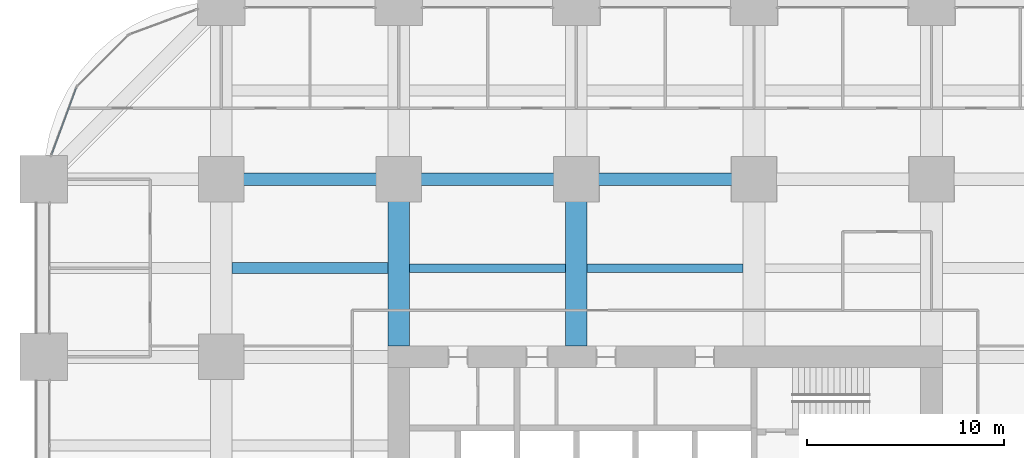
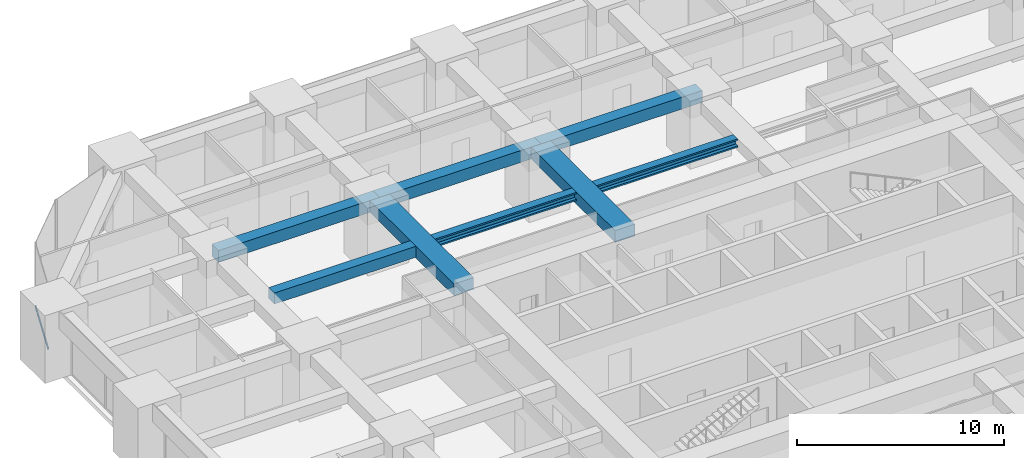
# One storey, part 26 of 44: 8 beams, 1 member, 1 element without a shape of its own.
"""IFC4 building model written with IfcOpenShell, lengths in metres."""

from ifc_helpers import new_model, si_unit, direction, frame, origin, origin_2d, place, context, subcontext, project, spatial, rectangle, hollow_rectangle, i_section, extrude, material, material_profile, profile_set, type_object, element, aggregate, save


model = new_model("IFC4")

# Units and contexts
model_context = context("Model", 3, precision=1e-05, world=origin(), true_north=direction((0.0, 1.0)))
body_context = subcontext(model_context, "Body", "Model", "MODEL_VIEW")
ifc_project = project(units=[si_unit("LENGTHUNIT", "METRE"), si_unit("AREAUNIT", "SQUARE_METRE"), si_unit("VOLUMEUNIT", "CUBIC_METRE"), si_unit("PLANEANGLEUNIT", "RADIAN"), si_unit("MASSUNIT", "GRAM", prefix="KILO")], contexts=[model_context])

# Site, building, storey
site_placement = place(None, origin())
site = spatial("IfcSite", under=ifc_project, at=site_placement, CompositionType="ELEMENT")
building_placement = place(site_placement, origin())
building = spatial("IfcBuilding", under=site, at=building_placement, Name="Zorevar Civic Tower", CompositionType="ELEMENT")
storey_placement = place(building_placement, frame((0.0, 0.0, 35.800048828125)))
storey = spatial("IfcBuildingStorey", under=building, at=storey_placement, Name="L08", CompositionType="ELEMENT", Elevation=35.800048828125)

# Beams
ifc_material_1 = material(Name="Concrete C50/60", Category="concrete")
ifc_material_profile_1 = material_profile(ifc_material_1, rectangle(XDim=1.10009765625, YDim=0.699951171875, at=origin_2d()), Name="RC 1100x700")
ifc_profile_set_1 = profile_set([ifc_material_profile_1], Name="Concrete C50/60")
beam_type_1 = type_object("IfcBeamType", Name="Beam RC 1100x700", PredefinedType="BEAM", material=ifc_profile_set_1)
for number, where, z_axis, x_axis, name in (
    (1, (18.0, 36.550048828125, 3.39990234375), (0.0, 1.0, 0.0), (-1.0, 0.0, 0.0), "Girder L09"),
    (2, (27.0, 36.550048828125, 3.39990234375), (0.0, 1.0, 0.0), (-1.0, 0.0, 0.0), "Girder L09"),
):
    element("IfcBeam", number, at=place(storey_placement, frame(where, z_axis=z_axis, x_axis=x_axis)), inside=storey, type_object=beam_type_1, Name=name, PredefinedType="BEAM", context=body_context, shape_type="SweptSolid", body=[
        extrude(rectangle(XDim=1.10009765625, YDim=0.699951171875, at=origin_2d()), origin(), (0.0, 0.0, 1.0), 8.449951171875),
    ])
ifc_material_2 = material(Name="Concrete C50/60", Category="concrete")
ifc_material_profile_2 = material_profile(ifc_material_2, rectangle(XDim=0.550048828125, YDim=0.64990234375, at=origin_2d()), Name="RC 550x650")
ifc_profile_set_2 = profile_set([ifc_material_profile_2], Name="Concrete C50/60")
beam_type_2 = type_object("IfcBeamType", Name="Beam RC 550x650", PredefinedType="BEAM", material=ifc_profile_set_2)
beam_placement = place(storey_placement, frame((9.550048828125, 40.5, 3.425048828125), z_axis=(1.0, 0.0, 0.0), x_axis=(0.0, 1.0, 0.0)))
element("IfcBeam", 3, at=beam_placement, inside=storey, type_object=beam_type_2, Name="Secondary beam L09", PredefinedType="BEAM", context=body_context, shape_type="SweptSolid", body=[
    extrude(rectangle(XDim=0.550048828125, YDim=0.64990234375, at=origin_2d()), origin(), (0.0, 0.0, 1.0), 7.89990234375),
])
ifc_material_3 = material(Name="Concrete C50/60", Category="concrete")
ifc_material_profile_3 = material_profile(ifc_material_3, rectangle(XDim=0.64990234375, YDim=0.699951171875, at=origin_2d()), Name="RC 650x700")
ifc_profile_set_3 = profile_set([ifc_material_profile_3], Name="Concrete C50/60")
beam_type_3 = type_object("IfcBeamType", Name="Beam RC 650x700", PredefinedType="BEAM", material=ifc_profile_set_3)
for number, where, z_axis, x_axis, name in (
    (4, (9.0, 45.0, 3.39990234375), (1.0, 0.0, 0.0), (0.0, 1.0, 0.0), "Girder L09"),
    (5, (18.0, 45.0, 3.39990234375), (1.0, 0.0, 0.0), (0.0, 1.0, 0.0), "Girder L09"),
    (6, (27.0, 45.0, 3.39990234375), (1.0, 0.0, 0.0), (0.0, 1.0, 0.0), "Girder L09"),
):
    element("IfcBeam", number, at=place(storey_placement, frame(where, z_axis=z_axis, x_axis=x_axis)), inside=storey, type_object=beam_type_3, Name=name, PredefinedType="BEAM", context=body_context, shape_type="SweptSolid", body=[
        extrude(rectangle(XDim=0.64990234375, YDim=0.699951171875, at=origin_2d()), origin(), (0.0, 0.0, 1.0), 9.0),
    ])

# Curtain wall, member
ifc_material_4 = material(Name="Dark grey solar-control glass in black aluminium frame", Category="aluminium")
curtain_wall_type = type_object("IfcCurtainWallType", Name="Curtain wall CW2 low zone", PredefinedType="NOTDEFINED", material=ifc_material_4)
curtain_wall_placement = place(storey_placement, origin())
curtain_wall = element("IfcCurtainWall", 7, at=curtain_wall_placement, inside=storey, type_object=curtain_wall_type, Name="CW2 L08", PredefinedType="NOTDEFINED")
ifc_material_5 = material(Name="Aluminium, black anodised", Category="aluminium")
ifc_material_profile_4 = material_profile(ifc_material_5, hollow_rectangle(XDim=0.06005859375, YDim=0.14990234375, WallThickness=0.00390625, at=origin_2d()), Name="AL 150x60x4")
ifc_profile_set_4 = profile_set([ifc_material_profile_4], Name="Aluminium, black anodised")
member_type = type_object("IfcMemberType", Name="CW2 transom AL 150x60x4", PredefinedType="USERDEFINED", material=ifc_profile_set_4)
member_placement = place(storey_placement, frame((1.6533203125, 49.636474609375, 0.030029296875), z_axis=(-0.346672169799, -0.93798635741, 0.0), x_axis=(0.93798635741, -0.346672169799, 0.0)))
member = element("IfcMember", 8, at=member_placement, type_object=member_type, Name="CW2 sill transom", ObjectType="TRANSOM", PredefinedType="USERDEFINED", context=body_context, shape_type="SweptSolid", body=[
    extrude(hollow_rectangle(XDim=0.06005859375, YDim=0.14990234375, WallThickness=0.00390625, at=origin_2d()), origin(), (0.0, 0.0, 1.0), 3.603515625),
])
aggregate(curtain_wall, [member])

# Beams
ifc_material_6 = material(Name="Steel S460M (HISTAR 460)", Category="steel")
ifc_material_profile_5 = material_profile(ifc_material_6, i_section(OverallWidth=0.431884765625, OverallDepth=0.498046875, WebThickness=0.0556640625, FlangeThickness=0.0888671875, FilletRadius=0.014892578125, at=origin_2d()), Name="HD 400x744")
ifc_profile_set_5 = profile_set([ifc_material_profile_5], Name="Steel S460M (HISTAR 460)")
beam_type_4 = type_object("IfcBeamType", Name="Core bay beam HD 400x744", PredefinedType="BEAM", material=ifc_profile_set_5)
for number, where, z_axis, x_axis, name in (
    (9, (18.550048828125, 40.5, 3.5009765625), (1.0, 0.0, 0.0), (0.0, 1.0, 0.0), "Secondary beam L09"),
    (10, (27.550048828125, 40.5, 3.5009765625), (1.0, 0.0, 0.0), (0.0, 1.0, 0.0), "Secondary beam L09"),
):
    element("IfcBeam", number, at=place(storey_placement, frame(where, z_axis=z_axis, x_axis=x_axis)), inside=storey, type_object=beam_type_4, Name=name, PredefinedType="BEAM", context=body_context, shape_type="SweptSolid", body=[
        extrude(i_section(OverallWidth=0.431884765625, OverallDepth=0.498046875, WebThickness=0.0556640625, FlangeThickness=0.0888671875, FilletRadius=0.014892578125, at=origin_2d()), origin(), (0.0, 0.0, 1.0), 7.89990234375),
    ])

save(model, "model.ifc")
